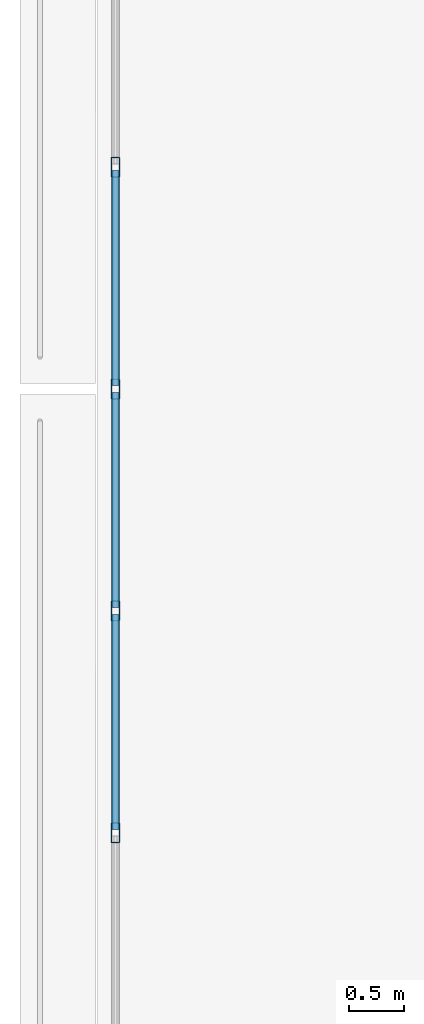
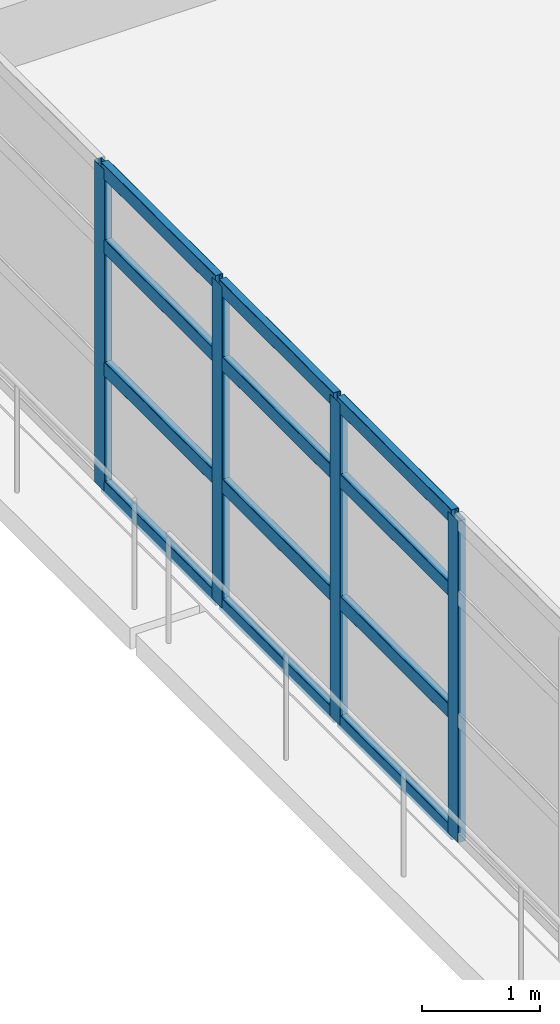
# One storey, part 7 of 24: 16 members, 1 element without a shape of its own.
"""IFC4 building model written with IfcOpenShell, lengths in metres."""

from ifc_helpers import new_model, si_unit, direction, frame, origin, origin_2d, place, context, subcontext, project, spatial, hollow_rectangle, extrude, material, layer, layer_set, material_profile, profile_set, type_object, element, aggregate, save


model = new_model("IFC4")

# Units and contexts
model_context = context("Model", 3, precision=1e-05, world=origin(), true_north=direction((0.0, 1.0)))
body_context = subcontext(model_context, "Body", "Model", "MODEL_VIEW")
ifc_project = project(units=[si_unit("LENGTHUNIT", "METRE"), si_unit("AREAUNIT", "SQUARE_METRE"), si_unit("VOLUMEUNIT", "CUBIC_METRE"), si_unit("PLANEANGLEUNIT", "RADIAN"), si_unit("MASSUNIT", "GRAM", prefix="KILO")], contexts=[model_context])

# Site, building, storey
site_placement = place(None, origin())
site = spatial("IfcSite", under=ifc_project, at=site_placement, CompositionType="ELEMENT")
building_placement = place(site_placement, origin())
building = spatial("IfcBuilding", under=site, at=building_placement, Name="Qingluan Cross Belvedere", CompositionType="ELEMENT")
storey_placement = place(building_placement, frame((0.0, 0.0, 14.699951171875)))
storey = spatial("IfcBuildingStorey", under=building, at=storey_placement, Name="L04", CompositionType="ELEMENT", Elevation=14.699951171875)

# Curtain wall, members
ifc_material_1 = material(Name="Thermally broken aluminium and Low-E glass", Category="aluminium")
ifc_layer = layer(ifc_material_1, 0.219970703125, Name="UnitisedCW_BallroomFoyer")
ifc_layer_set = layer_set([ifc_layer], Name="Thermally broken aluminium and Low-E glass")
curtain_wall_type = type_object("IfcCurtainWallType", Name="UnitisedCW_BallroomFoyer", PredefinedType="USERDEFINED", material=ifc_layer_set)
curtain_wall_placement = place(storey_placement, origin())
curtain_wall = element("IfcCurtainWall", 1, at=curtain_wall_placement, inside=storey, type_object=curtain_wall_type, Name="UnitisedCW_BallroomFoyer run env:cw:L04:W", ObjectType="UNITISED CURTAIN WALL", PredefinedType="USERDEFINED")
ifc_material_2 = material(Name="Aluminium alloy 6063-T6", Category="aluminium")
ifc_material_profile_1 = material_profile(ifc_material_2, hollow_rectangle(XDim=0.074951171875, YDim=0.179931640625, WallThickness=0.00390625, InnerFilletRadius=0.00390625, OuterFilletRadius=0.008056640625, at=origin_2d()), Name="CWM180x75x4")
ifc_profile_set_1 = profile_set([ifc_material_profile_1], Name="Aluminium alloy 6063-T6")
member_type_1 = type_object("IfcMemberType", Name="CWMullion_180", PredefinedType="MULLION", material=ifc_profile_set_1)
member_1_placement = place(storey_placement, frame((-36.93994140625, -4.0, 0.0), z_axis=(0.0, 0.0, 1.0), x_axis=(-1.0, 0.0, 0.0)))
member_1 = element("IfcMember", 2, at=member_1_placement, type_object=member_type_1, Name="CW-P2 mullion 2", PredefinedType="MULLION", context=body_context, shape_type="SweptSolid", body=[
    extrude(hollow_rectangle(XDim=0.074951171875, YDim=0.179931640625, WallThickness=0.00390625, InnerFilletRadius=0.00390625, OuterFilletRadius=0.008056640625, at=origin_2d()), origin(), (0.0, 0.0, 1.0), 3.330078125),
])
member_2_placement = place(storey_placement, frame((-36.93994140625, -2.0, 0.0), z_axis=(0.0, 0.0, 1.0), x_axis=(-1.0, 0.0, 0.0)))
member_2 = element("IfcMember", 3, at=member_2_placement, type_object=member_type_1, Name="CW-P2 mullion 3", PredefinedType="MULLION", context=body_context, shape_type="SweptSolid", body=[
    extrude(hollow_rectangle(XDim=0.074951171875, YDim=0.179931640625, WallThickness=0.00390625, InnerFilletRadius=0.00390625, OuterFilletRadius=0.008056640625, at=origin_2d()), origin(), (0.0, 0.0, 1.0), 3.330078125),
])
member_3_placement = place(storey_placement, frame((-36.93994140625, 0.0, 0.0), z_axis=(0.0, 0.0, 1.0), x_axis=(-1.0, 0.0, 0.0)))
member_3 = element("IfcMember", 4, at=member_3_placement, type_object=member_type_1, Name="CW-P2 mullion 4", PredefinedType="MULLION", context=body_context, shape_type="SweptSolid", body=[
    extrude(hollow_rectangle(XDim=0.074951171875, YDim=0.179931640625, WallThickness=0.00390625, InnerFilletRadius=0.00390625, OuterFilletRadius=0.008056640625, at=origin_2d()), origin(), (0.0, 0.0, 1.0), 3.330078125),
])
member_4_placement = place(storey_placement, frame((-36.93994140625, 2.0, 0.0), z_axis=(0.0, 0.0, 1.0), x_axis=(-1.0, 0.0, 0.0)))
member_4 = element("IfcMember", 5, at=member_4_placement, type_object=member_type_1, Name="CW-P2 mullion 5", PredefinedType="MULLION", context=body_context, shape_type="SweptSolid", body=[
    extrude(hollow_rectangle(XDim=0.074951171875, YDim=0.179931640625, WallThickness=0.00390625, InnerFilletRadius=0.00390625, OuterFilletRadius=0.008056640625, at=origin_2d()), origin(), (0.0, 0.0, 1.0), 3.330078125),
])
ifc_material_3 = material(Name="Aluminium alloy 6063-T6", Category="aluminium")
ifc_material_profile_2 = material_profile(ifc_material_3, hollow_rectangle(XDim=0.074951171875, YDim=0.14990234375, WallThickness=0.00390625, InnerFilletRadius=0.00390625, OuterFilletRadius=0.008056640625, at=origin_2d()), Name="CWT150x75x4")
ifc_profile_set_2 = profile_set([ifc_material_profile_2], Name="Aluminium alloy 6063-T6")
member_type_2 = type_object("IfcMemberType", Name="CWTransom_150", PredefinedType="USERDEFINED", material=ifc_profile_set_2)
member_5_placement = place(storey_placement, frame((-36.93994140625, -3.969970703125, 0.030029296875), z_axis=(0.0, 1.0, 0.0), x_axis=(-1.0, 0.0, 0.0)))
member_5 = element("IfcMember", 6, at=member_5_placement, type_object=member_type_2, Name="CW-P2 transom 2.1", ObjectType="TRANSOM", PredefinedType="USERDEFINED", context=body_context, shape_type="SweptSolid", body=[
    extrude(hollow_rectangle(XDim=0.074951171875, YDim=0.14990234375, WallThickness=0.00390625, InnerFilletRadius=0.00390625, OuterFilletRadius=0.008056640625, at=origin_2d()), origin(), (0.0, 0.0, 1.0), 1.93994140625),
])
member_6_placement = place(storey_placement, frame((-36.93994140625, -3.969970703125, 1.26513671875), z_axis=(0.0, 1.0, 0.0), x_axis=(-1.0, 0.0, 0.0)))
member_6 = element("IfcMember", 7, at=member_6_placement, type_object=member_type_2, Name="CW-P2 transom 2.2", ObjectType="TRANSOM", PredefinedType="USERDEFINED", context=body_context, shape_type="SweptSolid", body=[
    extrude(hollow_rectangle(XDim=0.074951171875, YDim=0.14990234375, WallThickness=0.00390625, InnerFilletRadius=0.00390625, OuterFilletRadius=0.008056640625, at=origin_2d()), origin(), (0.0, 0.0, 1.0), 1.93994140625),
])
member_7_placement = place(storey_placement, frame((-36.93994140625, -3.969970703125, 2.531005859375), z_axis=(0.0, 1.0, 0.0), x_axis=(-1.0, 0.0, 0.0)))
member_7 = element("IfcMember", 8, at=member_7_placement, type_object=member_type_2, Name="CW-P2 transom 2.3", ObjectType="TRANSOM", PredefinedType="USERDEFINED", context=body_context, shape_type="SweptSolid", body=[
    extrude(hollow_rectangle(XDim=0.074951171875, YDim=0.14990234375, WallThickness=0.00390625, InnerFilletRadius=0.00390625, OuterFilletRadius=0.008056640625, at=origin_2d()), origin(), (0.0, 0.0, 1.0), 1.93994140625),
])
member_8_placement = place(storey_placement, frame((-36.93994140625, -3.969970703125, 3.300048828125), z_axis=(0.0, 1.0, 0.0), x_axis=(-1.0, 0.0, 0.0)))
member_8 = element("IfcMember", 9, at=member_8_placement, type_object=member_type_2, Name="CW-P2 transom 2.4", ObjectType="TRANSOM", PredefinedType="USERDEFINED", context=body_context, shape_type="SweptSolid", body=[
    extrude(hollow_rectangle(XDim=0.074951171875, YDim=0.14990234375, WallThickness=0.00390625, InnerFilletRadius=0.00390625, OuterFilletRadius=0.008056640625, at=origin_2d()), origin(), (0.0, 0.0, 1.0), 1.93994140625),
])
member_9_placement = place(storey_placement, frame((-36.93994140625, -1.969970703125, 0.030029296875), z_axis=(0.0, 1.0, 0.0), x_axis=(-1.0, 0.0, 0.0)))
member_9 = element("IfcMember", 10, at=member_9_placement, type_object=member_type_2, Name="CW-P2 transom 3.1", ObjectType="TRANSOM", PredefinedType="USERDEFINED", context=body_context, shape_type="SweptSolid", body=[
    extrude(hollow_rectangle(XDim=0.074951171875, YDim=0.14990234375, WallThickness=0.00390625, InnerFilletRadius=0.00390625, OuterFilletRadius=0.008056640625, at=origin_2d()), origin(), (0.0, 0.0, 1.0), 1.93994140625),
])
member_10_placement = place(storey_placement, frame((-36.93994140625, -1.969970703125, 1.26513671875), z_axis=(0.0, 1.0, 0.0), x_axis=(-1.0, 0.0, 0.0)))
member_10 = element("IfcMember", 11, at=member_10_placement, type_object=member_type_2, Name="CW-P2 transom 3.2", ObjectType="TRANSOM", PredefinedType="USERDEFINED", context=body_context, shape_type="SweptSolid", body=[
    extrude(hollow_rectangle(XDim=0.074951171875, YDim=0.14990234375, WallThickness=0.00390625, InnerFilletRadius=0.00390625, OuterFilletRadius=0.008056640625, at=origin_2d()), origin(), (0.0, 0.0, 1.0), 1.93994140625),
])
member_11_placement = place(storey_placement, frame((-36.93994140625, -1.969970703125, 2.531005859375), z_axis=(0.0, 1.0, 0.0), x_axis=(-1.0, 0.0, 0.0)))
member_11 = element("IfcMember", 12, at=member_11_placement, type_object=member_type_2, Name="CW-P2 transom 3.3", ObjectType="TRANSOM", PredefinedType="USERDEFINED", context=body_context, shape_type="SweptSolid", body=[
    extrude(hollow_rectangle(XDim=0.074951171875, YDim=0.14990234375, WallThickness=0.00390625, InnerFilletRadius=0.00390625, OuterFilletRadius=0.008056640625, at=origin_2d()), origin(), (0.0, 0.0, 1.0), 1.93994140625),
])
member_12_placement = place(storey_placement, frame((-36.93994140625, -1.969970703125, 3.300048828125), z_axis=(0.0, 1.0, 0.0), x_axis=(-1.0, 0.0, 0.0)))
member_12 = element("IfcMember", 13, at=member_12_placement, type_object=member_type_2, Name="CW-P2 transom 3.4", ObjectType="TRANSOM", PredefinedType="USERDEFINED", context=body_context, shape_type="SweptSolid", body=[
    extrude(hollow_rectangle(XDim=0.074951171875, YDim=0.14990234375, WallThickness=0.00390625, InnerFilletRadius=0.00390625, OuterFilletRadius=0.008056640625, at=origin_2d()), origin(), (0.0, 0.0, 1.0), 1.93994140625),
])
member_13_placement = place(storey_placement, frame((-36.93994140625, 0.030029296875, 0.030029296875), z_axis=(0.0, 1.0, 0.0), x_axis=(-1.0, 0.0, 0.0)))
member_13 = element("IfcMember", 14, at=member_13_placement, type_object=member_type_2, Name="CW-P2 transom 4.1", ObjectType="TRANSOM", PredefinedType="USERDEFINED", context=body_context, shape_type="SweptSolid", body=[
    extrude(hollow_rectangle(XDim=0.074951171875, YDim=0.14990234375, WallThickness=0.00390625, InnerFilletRadius=0.00390625, OuterFilletRadius=0.008056640625, at=origin_2d()), origin(), (0.0, 0.0, 1.0), 1.93994140625),
])
member_14_placement = place(storey_placement, frame((-36.93994140625, 0.030029296875, 1.26513671875), z_axis=(0.0, 1.0, 0.0), x_axis=(-1.0, 0.0, 0.0)))
member_14 = element("IfcMember", 15, at=member_14_placement, type_object=member_type_2, Name="CW-P2 transom 4.2", ObjectType="TRANSOM", PredefinedType="USERDEFINED", context=body_context, shape_type="SweptSolid", body=[
    extrude(hollow_rectangle(XDim=0.074951171875, YDim=0.14990234375, WallThickness=0.00390625, InnerFilletRadius=0.00390625, OuterFilletRadius=0.008056640625, at=origin_2d()), origin(), (0.0, 0.0, 1.0), 1.93994140625),
])
member_15_placement = place(storey_placement, frame((-36.93994140625, 0.030029296875, 2.531005859375), z_axis=(0.0, 1.0, 0.0), x_axis=(-1.0, 0.0, 0.0)))
member_15 = element("IfcMember", 16, at=member_15_placement, type_object=member_type_2, Name="CW-P2 transom 4.3", ObjectType="TRANSOM", PredefinedType="USERDEFINED", context=body_context, shape_type="SweptSolid", body=[
    extrude(hollow_rectangle(XDim=0.074951171875, YDim=0.14990234375, WallThickness=0.00390625, InnerFilletRadius=0.00390625, OuterFilletRadius=0.008056640625, at=origin_2d()), origin(), (0.0, 0.0, 1.0), 1.93994140625),
])
member_16_placement = place(storey_placement, frame((-36.93994140625, 0.030029296875, 3.300048828125), z_axis=(0.0, 1.0, 0.0), x_axis=(-1.0, 0.0, 0.0)))
member_16 = element("IfcMember", 17, at=member_16_placement, type_object=member_type_2, Name="CW-P2 transom 4.4", ObjectType="TRANSOM", PredefinedType="USERDEFINED", context=body_context, shape_type="SweptSolid", body=[
    extrude(hollow_rectangle(XDim=0.074951171875, YDim=0.14990234375, WallThickness=0.00390625, InnerFilletRadius=0.00390625, OuterFilletRadius=0.008056640625, at=origin_2d()), origin(), (0.0, 0.0, 1.0), 1.93994140625),
])
aggregate(curtain_wall, [member_1, member_2, member_3, member_4, member_5, member_6, member_7, member_8, member_9, member_10, member_11, member_12, member_13, member_14, member_15, member_16])

save(model, "model.ifc")
